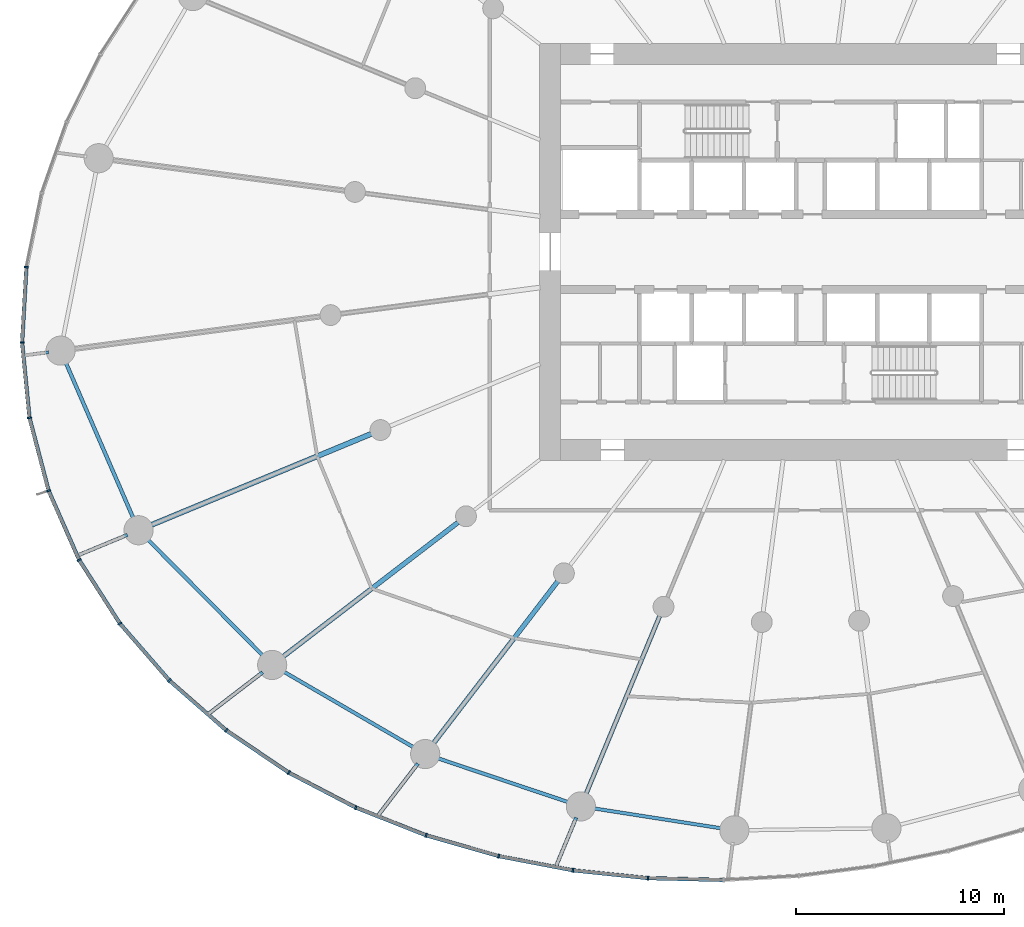
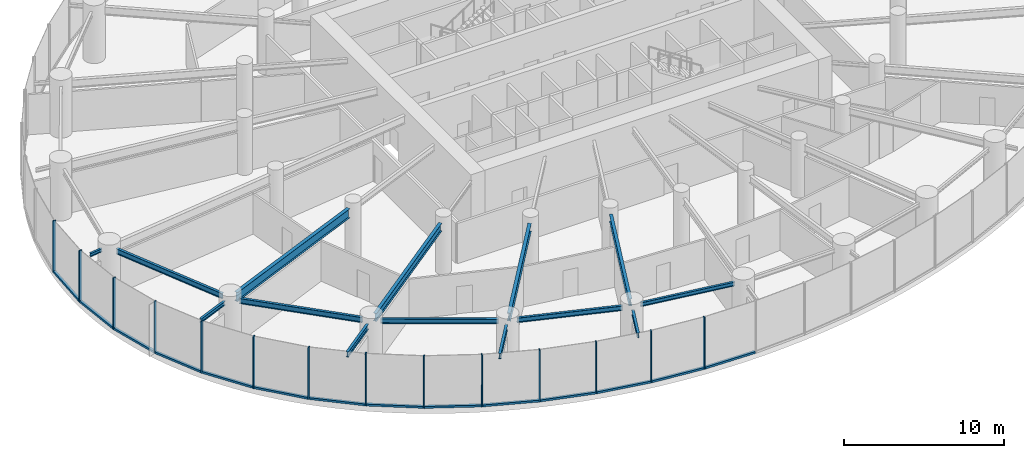
# One storey, part 2 of 18: 28 members, 14 beams, 3 elements without a shape of their own.
"""IFC4 building model written with IfcOpenShell, lengths in metres."""

from ifc_helpers import new_model, si_unit, direction, frame, origin, origin_2d, place, context, subcontext, project, spatial, rectangle, i_section, extrude, source, transform, mapped, material, layer, layer_set, material_profile, profile_set, type_object, element, aggregate, save


model = new_model("IFC4")

# Units and contexts
model_context = context("Model", 3, precision=1e-05, world=origin(), true_north=direction((0.0, 1.0)))
body_context = subcontext(model_context, "Body", "Model", "MODEL_VIEW")
ifc_project = project(units=[si_unit("LENGTHUNIT", "METRE"), si_unit("AREAUNIT", "SQUARE_METRE"), si_unit("VOLUMEUNIT", "CUBIC_METRE"), si_unit("PLANEANGLEUNIT", "RADIAN"), si_unit("MASSUNIT", "GRAM", prefix="KILO")], contexts=[model_context])

# Site, building, storey
site_placement = place(None, origin())
site = spatial("IfcSite", under=ifc_project, at=site_placement, CompositionType="ELEMENT")
building_placement = place(site_placement, origin())
building = spatial("IfcBuilding", under=site, at=building_placement, Name="Spindrift Exchange Tower", CompositionType="ELEMENT")
storey_placement = place(building_placement, frame((0.0, 0.0, 66.60009765625)))
storey = spatial("IfcBuildingStorey", under=building, at=storey_placement, Name="L15", CompositionType="ELEMENT", Elevation=66.60009765625)

# Beams
ifc_material_1 = material(Name="Steel Grade 300", Category="steel")
ifc_material_profile_1 = material_profile(ifc_material_1, i_section(OverallWidth=0.25, OverallDepth=0.699951171875, WebThickness=0.008056640625, FlangeThickness=0.011962890625, at=origin_2d()), Name="700WB115")
ifc_profile_set_1 = profile_set([ifc_material_profile_1], Name="Steel Grade 300")
beam_type_1 = type_object("IfcBeamType", Name="Floor Beam 700WB115 Steel Grade 300", PredefinedType="BEAM", material=ifc_profile_set_1)
shared_shape_1 = source(origin(), body_context, "Body", "SweptSolid", [
    extrude(i_section(OverallWidth=0.25, OverallDepth=0.699951171875, WebThickness=0.008056640625, FlangeThickness=0.011962890625, at=origin_2d()), origin(), (0.0, 0.0, 1.0), 11.505859375),
])
beam_1_placement = place(storey_placement, frame((30.917236328125, 39.26708984375, 3.599853515625), z_axis=(-0.923881578419, -0.38267849307, 0.0), x_axis=(0.38267849307, -0.923881578419, 0.0)))
element("IfcBeam", 1, at=beam_1_placement, inside=storey, type_object=beam_type_1, Name="L15 radial beam R14B", PredefinedType="BEAM", context=body_context, shape_type="MappedRepresentation", body=[
    mapped(shared_shape_1, transform((0.0, 0.0, 0.0), scale=1.0)),
])
ifc_material_profile_2 = material_profile(ifc_material_1, i_section(OverallWidth=0.22802734375, OverallDepth=0.60693359375, WebThickness=0.01123046875, FlangeThickness=0.017333984375, FilletRadius=0.013916015625, at=origin_2d()), Name="610UB113")
ifc_profile_set_2 = profile_set([ifc_material_profile_2], Name="Steel Grade 300")
beam_type_2 = type_object("IfcBeamType", Name="Floor Beam 610UB113 Steel Grade 300", PredefinedType="BEAM", material=ifc_profile_set_2)
shared_shape_2 = source(origin(), body_context, "Body", "SweptSolid", [
    extrude(i_section(OverallWidth=0.22802734375, OverallDepth=0.60693359375, WebThickness=0.01123046875, FlangeThickness=0.017333984375, FilletRadius=0.013916015625, at=origin_2d()), origin(), (0.0, 0.0, 1.0), 10.66357421875),
])
beam_2_placement = place(storey_placement, frame((35.08447265625, 35.020263671875, 3.646484375), z_axis=(-0.793357926757, -0.608755451764, 0.0), x_axis=(0.608755451764, -0.793357926757, 0.0)))
element("IfcBeam", 2, at=beam_2_placement, inside=storey, type_object=beam_type_2, Name="L15 radial beam R15B", PredefinedType="BEAM", context=body_context, shape_type="MappedRepresentation", body=[
    mapped(shared_shape_2, transform((0.0, 0.0, 0.0), scale=1.0)),
])
shared_shape_3 = source(origin(), body_context, "Body", "SweptSolid", [
    extrude(i_section(OverallWidth=0.22802734375, OverallDepth=0.60693359375, WebThickness=0.01123046875, FlangeThickness=0.017333984375, FilletRadius=0.013916015625, at=origin_2d()), origin(), (0.0, 0.0, 1.0), 9.87548828125),
])
beam_3_placement = place(storey_placement, frame((39.872802734375, 32.1953125, 3.646484375), z_axis=(-0.608772470836, -0.793344867477, 0.0), x_axis=(0.793344867477, -0.608772470836, 0.0)))
element("IfcBeam", 3, at=beam_3_placement, inside=storey, type_object=beam_type_2, Name="L15 radial beam R16B", PredefinedType="BEAM", context=body_context, shape_type="MappedRepresentation", body=[
    mapped(shared_shape_3, transform((0.0, 0.0, 0.0), scale=1.0)),
])
ifc_material_profile_3 = material_profile(ifc_material_1, i_section(OverallWidth=0.208984375, OverallDepth=0.532958984375, WebThickness=0.01025390625, FlangeThickness=0.015625, FilletRadius=0.013916015625, at=origin_2d()), Name="530UB92.4")
ifc_profile_set_3 = profile_set([ifc_material_profile_3], Name="Steel Grade 300")
beam_type_3 = type_object("IfcBeamType", Name="Floor Beam 530UB92.4 Steel Grade 300", PredefinedType="BEAM", material=ifc_profile_set_3)
shared_shape_4 = source(origin(), body_context, "Body", "SweptSolid", [
    extrude(i_section(OverallWidth=0.208984375, OverallDepth=0.532958984375, WebThickness=0.01025390625, FlangeThickness=0.015625, FilletRadius=0.013916015625, at=origin_2d()), origin(), (0.0, 0.0, 1.0), 9.309326171875),
])
beam_4_placement = place(storey_placement, frame((44.76171875, 30.525146484375, 3.683349609375), z_axis=(-0.382685326691, -0.923878747853, 0.0), x_axis=(0.923878747853, -0.382685326691, 0.0)))
element("IfcBeam", 4, at=beam_4_placement, inside=storey, type_object=beam_type_3, Name="L15 radial beam R17B", PredefinedType="BEAM", context=body_context, shape_type="MappedRepresentation", body=[
    mapped(shared_shape_4, transform((0.0, 0.0, 0.0), scale=1.0)),
])
ifc_material_profile_4 = material_profile(ifc_material_1, i_section(OverallWidth=0.177978515625, OverallDepth=0.406005859375, WebThickness=0.0078125, FlangeThickness=0.0126953125, FilletRadius=0.013916015625, at=origin_2d()), Name="410UB59.7")
ifc_profile_set_4 = profile_set([ifc_material_profile_4], Name="Steel Grade 300")
beam_type_4 = type_object("IfcBeamType", Name="Edge Beam 410UB59.7 Steel Grade 300", PredefinedType="SPANDREL", material=ifc_profile_set_4)
shared_shape_5 = source(origin(), body_context, "Body", "SweptSolid", [
    extrude(i_section(OverallWidth=0.177978515625, OverallDepth=0.406005859375, WebThickness=0.0078125, FlangeThickness=0.0126953125, FilletRadius=0.013916015625, at=origin_2d()), origin(), (0.0, 0.0, 1.0), 8.23681640625),
])
beam_5_placement = place(storey_placement, frame((16.240478515625, 42.729736328125, 3.746826171875), z_axis=(0.398186298756, -0.91730456855, 0.0), x_axis=(0.91730456855, 0.398186298756, 0.0)))
element("IfcBeam", 5, at=beam_5_placement, inside=storey, type_object=beam_type_4, Name="L15 edge beam E13", PredefinedType="SPANDREL", context=body_context, shape_type="MappedRepresentation", body=[
    mapped(shared_shape_5, transform((0.0, 0.0, 0.0), scale=1.0)),
])
shared_shape_6 = source(origin(), body_context, "Body", "SweptSolid", [
    extrude(i_section(OverallWidth=0.177978515625, OverallDepth=0.406005859375, WebThickness=0.0078125, FlangeThickness=0.0126953125, FilletRadius=0.013916015625, at=origin_2d()), origin(), (0.0, 0.0, 1.0), 7.947509765625),
])
beam_6_placement = place(storey_placement, frame((20.159423828125, 34.230224609375, 3.746826171875), z_axis=(0.704197895271, -0.710003749494, 0.0), x_axis=(0.710003749494, 0.704197895271, 0.0)))
element("IfcBeam", 6, at=beam_6_placement, inside=storey, type_object=beam_type_4, Name="L15 edge beam E14", PredefinedType="SPANDREL", context=body_context, shape_type="MappedRepresentation", body=[
    mapped(shared_shape_6, transform((0.0, 0.0, 0.0), scale=1.0)),
])
ifc_material_profile_5 = material_profile(ifc_material_1, i_section(OverallWidth=0.172119140625, OverallDepth=0.35888671875, WebThickness=0.008056640625, FlangeThickness=0.012939453125, FilletRadius=0.013916015625, at=origin_2d()), Name="360UB56.7")
ifc_profile_set_5 = profile_set([ifc_material_profile_5], Name="Steel Grade 300")
beam_type_5 = type_object("IfcBeamType", Name="Edge Beam 360UB56.7 Steel Grade 300", PredefinedType="SPANDREL", material=ifc_profile_set_5)
shared_shape_7 = source(origin(), body_context, "Body", "SweptSolid", [
    extrude(i_section(OverallWidth=0.172119140625, OverallDepth=0.35888671875, WebThickness=0.008056640625, FlangeThickness=0.012939453125, FilletRadius=0.013916015625, at=origin_2d()), origin(), (0.0, 0.0, 1.0), 7.33740234375),
])
beam_7_placement = place(storey_placement, frame((26.66552734375, 27.8837890625, 3.7705078125), z_axis=(0.864211826308, -0.503128134047, 0.0), x_axis=(0.503128134047, 0.864211826308, 0.0)))
element("IfcBeam", 7, at=beam_7_placement, inside=storey, type_object=beam_type_5, Name="L15 edge beam E15", PredefinedType="SPANDREL", context=body_context, shape_type="MappedRepresentation", body=[
    mapped(shared_shape_7, transform((0.0, 0.0, 0.0), scale=1.0)),
])
shared_shape_8 = source(origin(), body_context, "Body", "SweptSolid", [
    extrude(i_section(OverallWidth=0.172119140625, OverallDepth=0.35888671875, WebThickness=0.008056640625, FlangeThickness=0.012939453125, FilletRadius=0.013916015625, at=origin_2d()), origin(), (0.0, 0.0, 1.0), 6.72021484375),
])
beam_8_placement = place(storey_placement, frame((34.0576171875, 23.71533203125, 3.7705078125), z_axis=(0.947851749681, -0.318711563372, 0.0), x_axis=(0.318711563372, 0.947851749681, 0.0)))
element("IfcBeam", 8, at=beam_8_placement, inside=storey, type_object=beam_type_5, Name="L15 edge beam E16", PredefinedType="SPANDREL", context=body_context, shape_type="MappedRepresentation", body=[
    mapped(shared_shape_8, transform((0.0, 0.0, 0.0), scale=1.0)),
])
ifc_material_profile_6 = material_profile(ifc_material_1, i_section(OverallWidth=0.1650390625, OverallDepth=0.303955078125, WebThickness=0.006103515625, FlangeThickness=0.01025390625, FilletRadius=0.011474609375, at=origin_2d()), Name="310UB40.4")
ifc_profile_set_6 = profile_set([ifc_material_profile_6], Name="Steel Grade 300")
beam_type_6 = type_object("IfcBeamType", Name="Edge Beam 310UB40.4 Steel Grade 300", PredefinedType="SPANDREL", material=ifc_profile_set_6)
shared_shape_9 = source(origin(), body_context, "Body", "SweptSolid", [
    extrude(i_section(OverallWidth=0.1650390625, OverallDepth=0.303955078125, WebThickness=0.006103515625, FlangeThickness=0.01025390625, FilletRadius=0.011474609375, at=origin_2d()), origin(), (0.0, 0.0, 1.0), 6.297119140625),
])
beam_9_placement = place(storey_placement, frame((41.55029296875, 21.29931640625, 3.7978515625), z_axis=(0.98802902915, -0.154268070436, 0.0), x_axis=(0.154268070436, 0.98802902915, 0.0)))
element("IfcBeam", 9, at=beam_9_placement, inside=storey, type_object=beam_type_6, Name="L15 edge beam E17", PredefinedType="SPANDREL", context=body_context, shape_type="MappedRepresentation", body=[
    mapped(shared_shape_9, transform((0.0, 0.0, 0.0), scale=1.0)),
])
ifc_material_profile_7 = material_profile(ifc_material_1, i_section(OverallWidth=0.14599609375, OverallDepth=0.251953125, WebThickness=0.006103515625, FlangeThickness=0.008544921875, FilletRadius=0.011962890625, at=origin_2d()), Name="250UB31.4")
ifc_profile_set_7 = profile_set([ifc_material_profile_7], Name="Steel Grade 300")
beam_type_7 = type_object("IfcBeamType", Name="Cantilever Beam 250UB31.4 Steel Grade 300", PredefinedType="BEAM", material=ifc_profile_set_7)
shared_shape_10 = source(origin(), body_context, "Body", "SweptSolid", [
    extrude(i_section(OverallWidth=0.14599609375, OverallDepth=0.251953125, WebThickness=0.006103515625, FlangeThickness=0.008544921875, FilletRadius=0.011962890625, at=origin_2d()), origin(), (0.0, 0.0, 1.0), 0.926513671875),
])
beam_10_placement = place(storey_placement, frame((15.4345703125, 43.18603515625, 3.823974609375), z_axis=(-0.991458778885, -0.130420434639, 0.0), x_axis=(0.130420434639, -0.991458778885, 0.0)))
element("IfcBeam", 10, at=beam_10_placement, inside=storey, type_object=beam_type_7, Name="L15 cantilever beam R13T", PredefinedType="BEAM", context=body_context, shape_type="MappedRepresentation", body=[
    mapped(shared_shape_10, transform((0.0, 0.0, 0.0), scale=1.0)),
])
ifc_material_profile_8 = material_profile(ifc_material_1, i_section(OverallWidth=0.1650390625, OverallDepth=0.303955078125, WebThickness=0.006103515625, FlangeThickness=0.01025390625, FilletRadius=0.011474609375, at=origin_2d()), Name="310UB40.4")
ifc_profile_set_8 = profile_set([ifc_material_profile_8], Name="Steel Grade 300")
beam_type_8 = type_object("IfcBeamType", Name="Cantilever Beam 310UB40.4 Steel Grade 300", PredefinedType="BEAM", material=ifc_profile_set_8)
shared_shape_11 = source(origin(), body_context, "Body", "SweptSolid", [
    extrude(i_section(OverallWidth=0.1650390625, OverallDepth=0.303955078125, WebThickness=0.006103515625, FlangeThickness=0.01025390625, FilletRadius=0.011474609375, at=origin_2d()), origin(), (0.0, 0.0, 1.0), 2.484375),
])
beam_11_placement = place(storey_placement, frame((19.21533203125, 34.420166015625, 3.7978515625), z_axis=(-0.923894676376, -0.382646869795, 0.0), x_axis=(0.382646869795, -0.923894676376, 0.0)))
element("IfcBeam", 11, at=beam_11_placement, inside=storey, type_object=beam_type_8, Name="L15 cantilever beam R14T", PredefinedType="BEAM", context=body_context, shape_type="MappedRepresentation", body=[
    mapped(shared_shape_11, transform((0.0, 0.0, 0.0), scale=1.0)),
])
ifc_material_profile_9 = material_profile(ifc_material_1, i_section(OverallWidth=0.177978515625, OverallDepth=0.406005859375, WebThickness=0.0078125, FlangeThickness=0.0126953125, FilletRadius=0.013916015625, at=origin_2d()), Name="410UB59.7")
ifc_profile_set_9 = profile_set([ifc_material_profile_9], Name="Steel Grade 300")
beam_type_9 = type_object("IfcBeamType", Name="Cantilever Beam 410UB59.7 Steel Grade 300", PredefinedType="BEAM", material=ifc_profile_set_9)
shared_shape_12 = source(origin(), body_context, "Body", "SweptSolid", [
    extrude(i_section(OverallWidth=0.177978515625, OverallDepth=0.406005859375, WebThickness=0.0078125, FlangeThickness=0.0126953125, FilletRadius=0.013916015625, at=origin_2d()), origin(), (0.0, 0.0, 1.0), 3.36572265625),
])
beam_12_placement = place(storey_placement, frame((25.704345703125, 27.822509765625, 3.746826171875), z_axis=(-0.793362283194, -0.608749774213, 0.0), x_axis=(0.608749774213, -0.793362283194, 0.0)))
element("IfcBeam", 12, at=beam_12_placement, inside=storey, type_object=beam_type_9, Name="L15 cantilever beam R15T", PredefinedType="BEAM", context=body_context, shape_type="MappedRepresentation", body=[
    mapped(shared_shape_12, transform((0.0, 0.0, 0.0), scale=1.0)),
])
shared_shape_13 = source(origin(), body_context, "Body", "SweptSolid", [
    extrude(i_section(OverallWidth=0.177978515625, OverallDepth=0.406005859375, WebThickness=0.0078125, FlangeThickness=0.0126953125, FilletRadius=0.013916015625, at=origin_2d()), origin(), (0.0, 0.0, 1.0), 3.257568359375),
])
beam_13_placement = place(storey_placement, frame((33.154541015625, 23.440185546875, 3.746826171875), z_axis=(-0.608765037761, -0.793350571185, 0.0), x_axis=(0.793350571185, -0.608765037761, 0.0)))
element("IfcBeam", 13, at=beam_13_placement, inside=storey, type_object=beam_type_9, Name="L15 cantilever beam R16T", PredefinedType="BEAM", context=body_context, shape_type="MappedRepresentation", body=[
    mapped(shared_shape_13, transform((0.0, 0.0, 0.0), scale=1.0)),
])
ifc_material_profile_10 = material_profile(ifc_material_1, i_section(OverallWidth=0.172119140625, OverallDepth=0.35888671875, WebThickness=0.008056640625, FlangeThickness=0.012939453125, FilletRadius=0.013916015625, at=origin_2d()), Name="360UB56.7")
ifc_profile_set_10 = profile_set([ifc_material_profile_10], Name="Steel Grade 300")
beam_type_10 = type_object("IfcBeamType", Name="Cantilever Beam 360UB56.7 Steel Grade 300", PredefinedType="BEAM", material=ifc_profile_set_10)
shared_shape_14 = source(origin(), body_context, "Body", "SweptSolid", [
    extrude(i_section(OverallWidth=0.172119140625, OverallDepth=0.35888671875, WebThickness=0.008056640625, FlangeThickness=0.012939453125, FilletRadius=0.013916015625, at=origin_2d()), origin(), (0.0, 0.0, 1.0), 2.591796875),
])
beam_14_placement = place(storey_placement, frame((40.755126953125, 20.852783203125, 3.7705078125), z_axis=(-0.382634657467, -0.923899734227, 0.0), x_axis=(0.923899734227, -0.382634657467, 0.0)))
element("IfcBeam", 14, at=beam_14_placement, inside=storey, type_object=beam_type_10, Name="L15 cantilever beam R17T", PredefinedType="BEAM", context=body_context, shape_type="MappedRepresentation", body=[
    mapped(shared_shape_14, transform((0.0, 0.0, 0.0), scale=1.0)),
])

# Curtain wall, members
ifc_material_2 = material(Name="Fritted laminated glass with bronze frame", Category="glass")
ifc_layer = layer(ifc_material_2, 0.199951171875)
ifc_layer_set = layer_set([ifc_layer], Name="ZONE 1 BRONZE FRITTED WALL")
curtain_wall_type = type_object("IfcCurtainWallType", Name="ZONE 1 BRONZE FRITTED WALL", PredefinedType="NOTDEFINED", material=ifc_layer_set)
curtain_wall_1_placement = place(storey_placement, origin())
curtain_wall_1 = element("IfcCurtainWall", 15, at=curtain_wall_1_placement, inside=storey, type_object=curtain_wall_type, Name="L15 Zone 1 Bronze Fritted Wall run 5", PredefinedType="NOTDEFINED")
ifc_material_3 = material(Name="Bronze anodised aluminium", Category="aluminium")
ifc_material_profile_11 = material_profile(ifc_material_3, rectangle(XDim=0.080078125, YDim=0.199951171875, at=origin_2d()), Name="ZONE 1 BRONZE FRITTED WALL MULLION 80X200")
ifc_profile_set_11 = profile_set([ifc_material_profile_11], Name="Bronze anodised aluminium")
member_type_1 = type_object("IfcMemberType", Name="ZONE 1 BRONZE FRITTED WALL MULLION 80X200", PredefinedType="MULLION", material=ifc_profile_set_11)
shared_shape_15 = source(origin(), body_context, "Body", "SweptSolid", [
    extrude(rectangle(XDim=0.080078125, YDim=0.199951171875, at=origin_2d()), origin(), (0.0, 0.0, 1.0), 3.949951171875),
])
member_1_placement = place(storey_placement, frame((14.36669921875, 47.268310546875, 0.0), z_axis=(0.0, 0.0, 1.0), x_axis=(-0.129181719903, -0.991620937275, 0.0)))
member_1 = element("IfcMember", 16, at=member_1_placement, type_object=member_type_1, Name="L15 mullion CW-1.28", PredefinedType="MULLION", context=body_context, shape_type="MappedRepresentation", body=[
    mapped(shared_shape_15, transform((0.0, 0.0, 0.0), scale=1.0)),
])
member_2_placement = place(storey_placement, frame((14.16162109375, 43.6494140625, 0.0), z_axis=(0.0, 0.0, 1.0), x_axis=(0.020521857972, -0.999789404497, 0.0)))
member_2 = element("IfcMember", 17, at=member_2_placement, type_object=member_type_1, Name="L15 mullion CW-1.29", PredefinedType="MULLION", context=body_context, shape_type="MappedRepresentation", body=[
    mapped(shared_shape_15, transform((0.0, 0.0, 0.0), scale=1.0)),
])
member_3_placement = place(storey_placement, frame((14.514892578125, 40.042236328125, 0.0), z_axis=(0.0, 0.0, 1.0), x_axis=(0.176143087856, -0.984364573012, 0.0)))
member_3 = element("IfcMember", 18, at=member_3_placement, type_object=member_type_1, Name="L15 mullion CW-1.30", PredefinedType="MULLION", context=body_context, shape_type="MappedRepresentation", body=[
    mapped(shared_shape_15, transform((0.0, 0.0, 0.0), scale=1.0)),
])

curtain_wall_2_placement = place(storey_placement, origin())
curtain_wall_2 = element("IfcCurtainWall", 19, at=curtain_wall_2_placement, inside=storey, type_object=curtain_wall_type, Name="L15 Zone 1 Bronze Fritted Wall run 6", PredefinedType="NOTDEFINED")
member_4_placement = place(storey_placement, frame((15.434326171875, 36.536376953125, 0.0), z_axis=(0.0, 0.0, 1.0), x_axis=(0.32965428712, -0.944101716439, 0.0)))
member_4 = element("IfcMember", 20, at=member_4_placement, type_object=member_type_1, Name="L15 mullion CW-1.31", PredefinedType="MULLION", context=body_context, shape_type="MappedRepresentation", body=[
    mapped(shared_shape_15, transform((0.0, 0.0, 0.0), scale=1.0)),
])
member_5_placement = place(storey_placement, frame((16.89697265625, 33.22021484375, 0.0), z_axis=(0.0, 0.0, 1.0), x_axis=(0.472797857724, -0.881170917434, 0.0)))
member_5 = element("IfcMember", 21, at=member_5_placement, type_object=member_type_1, Name="L15 mullion CW-1.32", PredefinedType="MULLION", context=body_context, shape_type="MappedRepresentation", body=[
    mapped(shared_shape_15, transform((0.0, 0.0, 0.0), scale=1.0)),
])
member_6_placement = place(storey_placement, frame((18.851806640625, 30.16748046875, 0.0), z_axis=(0.0, 0.0, 1.0), x_axis=(0.599224797043, -0.800580815788, 0.0)))
member_6 = element("IfcMember", 22, at=member_6_placement, type_object=member_type_1, Name="L15 mullion CW-1.33", PredefinedType="MULLION", context=body_context, shape_type="MappedRepresentation", body=[
    mapped(shared_shape_15, transform((0.0, 0.0, 0.0), scale=1.0)),
])
member_7_placement = place(storey_placement, frame((21.229736328125, 27.431396484375, 0.0), z_axis=(0.0, 0.0, 1.0), x_axis=(0.705622640116, -0.708587813722, 0.0)))
member_7 = element("IfcMember", 23, at=member_7_placement, type_object=member_type_1, Name="L15 mullion CW-1.34", PredefinedType="MULLION", context=body_context, shape_type="MappedRepresentation", body=[
    mapped(shared_shape_15, transform((0.0, 0.0, 0.0), scale=1.0)),
])
member_8_placement = place(storey_placement, frame((23.956298828125, 25.04150390625, 0.0), z_axis=(0.0, 0.0, 1.0), x_axis=(0.791607812976, -0.611029516828, 0.0)))
member_8 = element("IfcMember", 24, at=member_8_placement, type_object=member_type_1, Name="L15 mullion CW-1.35", PredefinedType="MULLION", context=body_context, shape_type="MappedRepresentation", body=[
    mapped(shared_shape_15, transform((0.0, 0.0, 0.0), scale=1.0)),
])
member_9_placement = place(storey_placement, frame((26.959228515625, 23.009033203125, 0.0), z_axis=(0.0, 0.0, 1.0), x_axis=(0.858787918208, -0.51233125177, 0.0)))
member_9 = element("IfcMember", 25, at=member_9_placement, type_object=member_type_1, Name="L15 mullion CW-1.36", PredefinedType="MULLION", context=body_context, shape_type="MappedRepresentation", body=[
    mapped(shared_shape_15, transform((0.0, 0.0, 0.0), scale=1.0)),
])

curtain_wall_3_placement = place(storey_placement, origin())
curtain_wall_3 = element("IfcCurtainWall", 26, at=curtain_wall_3_placement, inside=storey, type_object=curtain_wall_type, Name="L15 Zone 1 Bronze Fritted Wall run 7", PredefinedType="NOTDEFINED")
member_10_placement = place(storey_placement, frame((30.174560546875, 21.331787109375, 0.0), z_axis=(0.0, 0.0, 1.0), x_axis=(0.909662663684, -0.415347852167, 0.0)))
member_10 = element("IfcMember", 27, at=member_10_placement, type_object=member_type_1, Name="L15 mullion CW-1.37", PredefinedType="MULLION", context=body_context, shape_type="MappedRepresentation", body=[
    mapped(shared_shape_15, transform((0.0, 0.0, 0.0), scale=1.0)),
])
member_11_placement = place(storey_placement, frame((33.548095703125, 20.00048828125, 0.0), z_axis=(0.0, 0.0, 1.0), x_axis=(0.946871772108, -0.32161132938, 0.0)))
member_11 = element("IfcMember", 28, at=member_11_placement, type_object=member_type_1, Name="L15 mullion CW-1.38", PredefinedType="MULLION", context=body_context, shape_type="MappedRepresentation", body=[
    mapped(shared_shape_15, transform((0.0, 0.0, 0.0), scale=1.0)),
])
member_12_placement = place(storey_placement, frame((37.03466796875, 19.001708984375, 0.0), z_axis=(0.0, 0.0, 1.0), x_axis=(0.972761976713, -0.231806248106, 0.0)))
member_12 = element("IfcMember", 29, at=member_12_placement, type_object=member_type_1, Name="L15 mullion CW-1.39", PredefinedType="MULLION", context=body_context, shape_type="MappedRepresentation", body=[
    mapped(shared_shape_15, transform((0.0, 0.0, 0.0), scale=1.0)),
])
member_13_placement = place(storey_placement, frame((40.59716796875, 18.32080078125, 0.0), z_axis=(0.0, 0.0, 1.0), x_axis=(0.989285838484, -0.145991540079, 0.0)))
member_13 = element("IfcMember", 30, at=member_13_placement, type_object=member_type_1, Name="L15 mullion CW-1.40", PredefinedType="MULLION", context=body_context, shape_type="MappedRepresentation", body=[
    mapped(shared_shape_15, transform((0.0, 0.0, 0.0), scale=1.0)),
])
member_14_placement = place(storey_placement, frame((44.204833984375, 17.943603515625, 0.0), z_axis=(0.0, 0.0, 1.0), x_axis=(0.99795619913, -0.0639016793, 0.0)))
member_14 = element("IfcMember", 31, at=member_14_placement, type_object=member_type_1, Name="L15 mullion CW-1.41", PredefinedType="MULLION", context=body_context, shape_type="MappedRepresentation", body=[
    mapped(shared_shape_15, transform((0.0, 0.0, 0.0), scale=1.0)),
])

# Member
ifc_material_profile_12 = material_profile(ifc_material_3, rectangle(XDim=0.179931640625, YDim=0.14990234375, at=origin_2d()), Name="ZONE 1 BRONZE FRITTED WALL TRANSOM 180X150")
ifc_profile_set_12 = profile_set([ifc_material_profile_12], Name="Bronze anodised aluminium")
member_type_2 = type_object("IfcMemberType", Name="ZONE 1 BRONZE FRITTED WALL TRANSOM 180X150", PredefinedType="USERDEFINED", material=ifc_profile_set_12)
shared_shape_16 = source(origin(), body_context, "Body", "SweptSolid", [
    extrude(rectangle(XDim=0.179931640625, YDim=0.14990234375, at=origin_2d()), origin(), (0.0, 0.0, 1.0), 3.54443359375),
])
member_15_placement = place(storey_placement, frame((14.16552734375, 43.609619140625, 0.074951171875), z_axis=(0.097464405908, -0.995239011284, 0.0), x_axis=(0.995239011284, 0.097464405908, 0.0)))
member_15 = element("IfcMember", 32, at=member_15_placement, type_object=member_type_2, Name="L15 transom CW-1.29", ObjectType="TRANSOM", PredefinedType="USERDEFINED", context=body_context, shape_type="MappedRepresentation", body=[
    mapped(shared_shape_16, transform((0.0, 0.0, 0.0), scale=1.0)),
])

shared_shape_17 = source(origin(), body_context, "Body", "SweptSolid", [
    extrude(rectangle(XDim=0.179931640625, YDim=0.14990234375, at=origin_2d()), origin(), (0.0, 0.0, 1.0), 3.544921875),
])
member_16_placement = place(storey_placement, frame((16.91845703125, 33.1865234375, 0.074951171875), z_axis=(0.539253021622, -0.842143799284, 0.0), x_axis=(0.842143799284, 0.539253021622, 0.0)))
member_16 = element("IfcMember", 33, at=member_16_placement, type_object=member_type_2, Name="L15 transom CW-1.32", ObjectType="TRANSOM", PredefinedType="USERDEFINED", context=body_context, shape_type="MappedRepresentation", body=[
    mapped(shared_shape_17, transform((0.0, 0.0, 0.0), scale=1.0)),
])

member_17_placement = place(storey_placement, frame((18.8779296875, 30.13720703125, 0.074951171875), z_axis=(0.65603889149, -0.754727085013, 0.0), x_axis=(0.754727085013, 0.65603889149, 0.0)))
member_17 = element("IfcMember", 34, at=member_17_placement, type_object=member_type_2, Name="L15 transom CW-1.33", ObjectType="TRANSOM", PredefinedType="USERDEFINED", context=body_context, shape_type="MappedRepresentation", body=[
    mapped(shared_shape_17, transform((0.0, 0.0, 0.0), scale=1.0)),
])

shared_shape_18 = source(origin(), body_context, "Body", "SweptSolid", [
    extrude(rectangle(XDim=0.179931640625, YDim=0.14990234375, at=origin_2d()), origin(), (0.0, 0.0, 1.0), 3.546875),
])
member_18_placement = place(storey_placement, frame((37.073974609375, 18.994384765625, 0.074951171875), z_axis=(0.982213035228, -0.18776994815, 0.0), x_axis=(0.18776994815, 0.982213035228, 0.0)))
member_18 = element("IfcMember", 35, at=member_18_placement, type_object=member_type_2, Name="L15 transom CW-1.39", ObjectType="TRANSOM", PredefinedType="USERDEFINED", context=body_context, shape_type="MappedRepresentation", body=[
    mapped(shared_shape_18, transform((0.0, 0.0, 0.0), scale=1.0)),
])

shared_shape_19 = source(origin(), body_context, "Body", "SweptSolid", [
    extrude(rectangle(XDim=0.179931640625, YDim=0.14990234375, at=origin_2d()), origin(), (0.0, 0.0, 1.0), 3.54736328125),
])
member_19_placement = place(storey_placement, frame((40.636962890625, 18.316650390625, 0.074951171875), z_axis=(0.994577996462, -0.103993312065, 0.0), x_axis=(0.103993312065, 0.994577996462, 0.0)))
member_19 = element("IfcMember", 36, at=member_19_placement, type_object=member_type_2, Name="L15 transom CW-1.40", ObjectType="TRANSOM", PredefinedType="USERDEFINED", context=body_context, shape_type="MappedRepresentation", body=[
    mapped(shared_shape_19, transform((0.0, 0.0, 0.0), scale=1.0)),
])

shared_shape_20 = source(origin(), body_context, "Body", "SweptSolid", [
    extrude(rectangle(XDim=0.179931640625, YDim=0.14990234375, at=origin_2d()), origin(), (0.0, 0.0, 1.0), 3.547119140625),
])
member_20_placement = place(storey_placement, frame((33.58642578125, 19.989501953125, 0.074951171875), z_axis=(0.961334114326, -0.275384677556, 0.0), x_axis=(0.275384677556, 0.961334114326, 0.0)))
member_20 = element("IfcMember", 37, at=member_20_placement, type_object=member_type_2, Name="L15 transom CW-1.38", ObjectType="TRANSOM", PredefinedType="USERDEFINED", context=body_context, shape_type="MappedRepresentation", body=[
    mapped(shared_shape_20, transform((0.0, 0.0, 0.0), scale=1.0)),
])

member_21_placement = place(storey_placement, frame((44.244873046875, 17.94287109375, 0.074951171875), z_axis=(0.99971803695, -0.023745454234, 0.0), x_axis=(0.023745454234, 0.99971803695, 0.0)))
member_21 = element("IfcMember", 38, at=member_21_placement, type_object=member_type_2, Name="L15 transom CW-1.41", ObjectType="TRANSOM", PredefinedType="USERDEFINED", context=body_context, shape_type="MappedRepresentation", body=[
    mapped(shared_shape_20, transform((0.0, 0.0, 0.0), scale=1.0)),
])

shared_shape_21 = source(origin(), body_context, "Body", "SweptSolid", [
    extrude(rectangle(XDim=0.179931640625, YDim=0.14990234375, at=origin_2d()), origin(), (0.0, 0.0, 1.0), 3.54638671875),
])
member_22_placement = place(storey_placement, frame((26.99462890625, 22.990478515625, 0.074951171875), z_axis=(0.886626577872, -0.462486012124, 0.0), x_axis=(0.462486012124, 0.886626577872, 0.0)))
member_22 = element("IfcMember", 39, at=member_22_placement, type_object=member_type_2, Name="L15 transom CW-1.36", ObjectType="TRANSOM", PredefinedType="USERDEFINED", context=body_context, shape_type="MappedRepresentation", body=[
    mapped(shared_shape_21, transform((0.0, 0.0, 0.0), scale=1.0)),
])

shared_shape_22 = source(origin(), body_context, "Body", "SweptSolid", [
    extrude(rectangle(XDim=0.179931640625, YDim=0.14990234375, at=origin_2d()), origin(), (0.0, 0.0, 1.0), 3.546630859375),
])
member_23_placement = place(storey_placement, frame((30.211669921875, 21.317138671875, 0.074951171875), z_axis=(0.930204088283, -0.367042714329, 0.0), x_axis=(0.367042714329, 0.930204088283, 0.0)))
member_23 = element("IfcMember", 40, at=member_23_placement, type_object=member_type_2, Name="L15 transom CW-1.37", ObjectType="TRANSOM", PredefinedType="USERDEFINED", context=body_context, shape_type="MappedRepresentation", body=[
    mapped(shared_shape_22, transform((0.0, 0.0, 0.0), scale=1.0)),
])

aggregate(curtain_wall_3, [member_10, member_23, member_11, member_20, member_12, member_18, member_13, member_19, member_14, member_21])

shared_shape_23 = source(origin(), body_context, "Body", "SweptSolid", [
    extrude(rectangle(XDim=0.179931640625, YDim=0.14990234375, at=origin_2d()), origin(), (0.0, 0.0, 1.0), 3.5458984375),
])
member_24_placement = place(storey_placement, frame((21.259765625, 27.405029296875, 0.074951171875), z_axis=(0.752021941009, -0.65913807373, 0.0), x_axis=(0.65913807373, 0.752021941009, 0.0)))
member_24 = element("IfcMember", 41, at=member_24_placement, type_object=member_type_2, Name="L15 transom CW-1.34", ObjectType="TRANSOM", PredefinedType="USERDEFINED", context=body_context, shape_type="MappedRepresentation", body=[
    mapped(shared_shape_23, transform((0.0, 0.0, 0.0), scale=1.0)),
])

member_25_placement = place(storey_placement, frame((23.989501953125, 25.01904296875, 0.074951171875), z_axis=(0.828142415582, -0.560517742372, 0.0), x_axis=(0.560517742372, 0.828142415582, 0.0)))
member_25 = element("IfcMember", 42, at=member_25_placement, type_object=member_type_2, Name="L15 transom CW-1.35", ObjectType="TRANSOM", PredefinedType="USERDEFINED", context=body_context, shape_type="MappedRepresentation", body=[
    mapped(shared_shape_23, transform((0.0, 0.0, 0.0), scale=1.0)),
])

shared_shape_24 = source(origin(), body_context, "Body", "SweptSolid", [
    extrude(rectangle(XDim=0.179931640625, YDim=0.14990234375, at=origin_2d()), origin(), (0.0, 0.0, 1.0), 3.544189453125),
])
member_26_placement = place(storey_placement, frame((14.525146484375, 40.00341796875, 0.074951171875), z_axis=(0.253703179219, -0.967282118544, 0.0), x_axis=(0.967282118544, 0.253703179219, 0.0)))
member_26 = element("IfcMember", 43, at=member_26_placement, type_object=member_type_2, Name="L15 transom CW-1.30", ObjectType="TRANSOM", PredefinedType="USERDEFINED", context=body_context, shape_type="MappedRepresentation", body=[
    mapped(shared_shape_24, transform((0.0, 0.0, 0.0), scale=1.0)),
])

shared_shape_25 = source(origin(), body_context, "Body", "SweptSolid", [
    extrude(rectangle(XDim=0.179931640625, YDim=0.14990234375, at=origin_2d()), origin(), (0.0, 0.0, 1.0), 3.544677734375),
])
member_27_placement = place(storey_placement, frame((14.3642578125, 47.228515625, 0.074951171875), z_axis=(-0.056545696052, -0.998400012148, 0.0), x_axis=(0.998400012148, -0.056545696052, 0.0)))
member_27 = element("IfcMember", 44, at=member_27_placement, type_object=member_type_2, Name="L15 transom CW-1.28", ObjectType="TRANSOM", PredefinedType="USERDEFINED", context=body_context, shape_type="MappedRepresentation", body=[
    mapped(shared_shape_25, transform((0.0, 0.0, 0.0), scale=1.0)),
])

aggregate(curtain_wall_1, [member_1, member_27, member_2, member_15, member_3, member_26])

member_28_placement = place(storey_placement, frame((15.450439453125, 36.499755859375, 0.074951171875), z_axis=(0.403548634941, -0.91495819535, 0.0), x_axis=(0.91495819535, 0.403548634941, 0.0)))
member_28 = element("IfcMember", 45, at=member_28_placement, type_object=member_type_2, Name="L15 transom CW-1.31", ObjectType="TRANSOM", PredefinedType="USERDEFINED", context=body_context, shape_type="MappedRepresentation", body=[
    mapped(shared_shape_25, transform((0.0, 0.0, 0.0), scale=1.0)),
])

aggregate(curtain_wall_2, [member_4, member_28, member_5, member_16, member_6, member_17, member_7, member_24, member_8, member_25, member_9, member_22])

save(model, "model.ifc")
